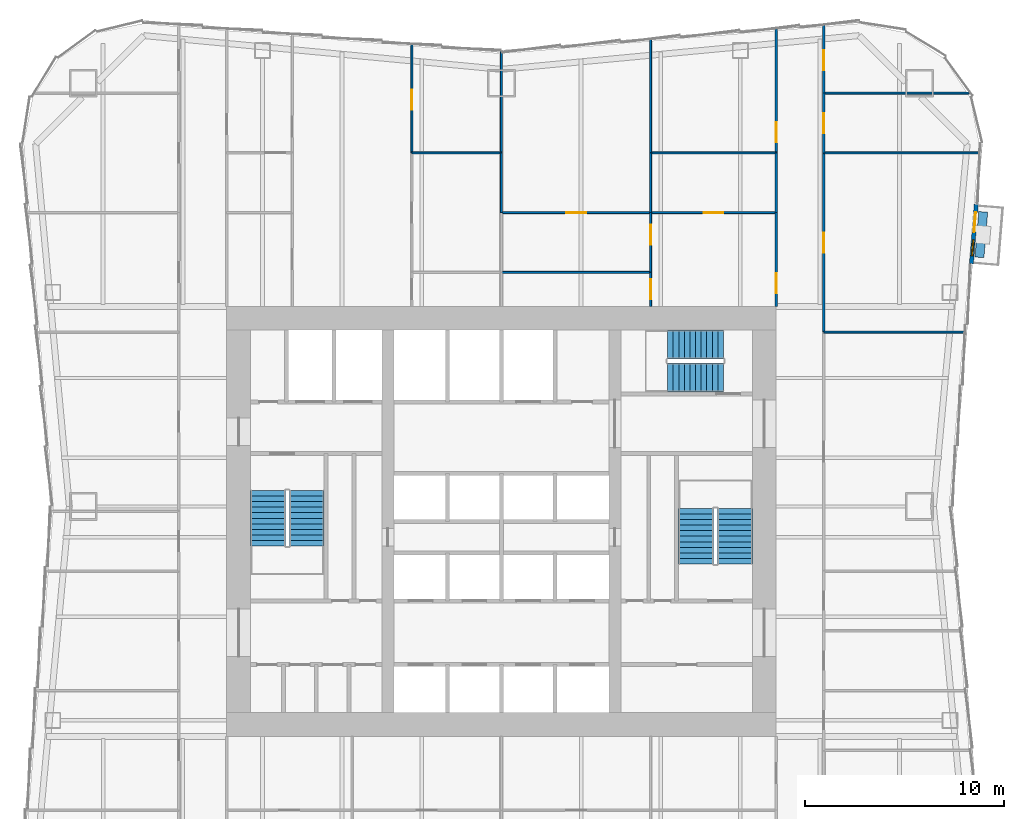
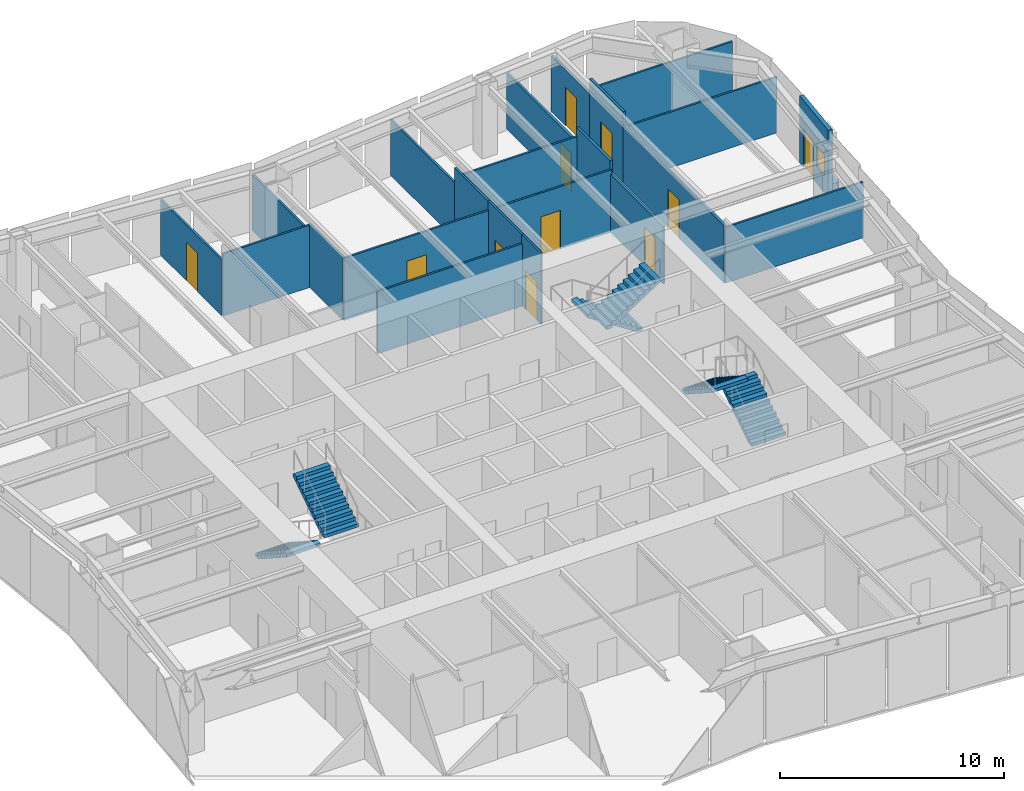
# One storey, part 7 of 9: 23 walls, 11 doors, 6 stair flights, 1 window, 12 openings, 3 elements without a shape of their own.
"""IFC4 building model written with IfcOpenShell, lengths in metres."""

from ifc_helpers import new_model, si_unit, direction, frame, frame_2d, origin, place, context, subcontext, project, spatial, polyline, rectangle, outline, extrude, material, layer, layer_set, type_object, element, fill, aggregate, save


model = new_model("IFC4")

# Units and contexts
model_context = context("Model", 3, precision=1e-05, world=origin(), true_north=direction((0.0, 1.0)))
body_context = subcontext(model_context, "Body", "Model", "MODEL_VIEW")
ifc_project = project(units=[si_unit("LENGTHUNIT", "METRE"), si_unit("AREAUNIT", "SQUARE_METRE"), si_unit("VOLUMEUNIT", "CUBIC_METRE"), si_unit("PLANEANGLEUNIT", "RADIAN"), si_unit("MASSUNIT", "GRAM", prefix="KILO")], contexts=[model_context])

# Site, building, storey
site_placement = place(None, origin())
site = spatial("IfcSite", under=ifc_project, at=site_placement, CompositionType="ELEMENT")
building_placement = place(site_placement, origin())
building = spatial("IfcBuilding", under=site, at=building_placement, Name="Verdant Reach Tower", CompositionType="ELEMENT")
storey_placement = place(building_placement, frame((0.0, 0.0, 74.0)))
storey = spatial("IfcBuildingStorey", under=building, at=storey_placement, Name="L16", CompositionType="ELEMENT", Elevation=74.0)

# Wall, openings, door, window
ifc_material_1 = material(Name="Insulated bronze aluminium panel wall", Category="aluminium")
ifc_layer_1 = layer(ifc_material_1, 0.219970703125)
ifc_layer_set_1 = layer_set([ifc_layer_1], Name="EN-INFILL WALL")
wall_type_1 = type_object("IfcWallType", Name="EN-INFILL WALL", PredefinedType="SOLIDWALL", material=ifc_layer_set_1)
wall_1_placement = place(storey_placement, frame((23.605224609375, 40.939208984375, 0.0), z_axis=(0.0, 0.0, 1.0), x_axis=(0.081903334605, 0.996640278024, 0.0)))
wall_1 = element("IfcWall", 1, at=wall_1_placement, inside=storey, type_object=wall_type_1, Name="External infill wall, balcony bay 1, L16", PredefinedType="SOLIDWALL", context=body_context, shape_type="SweptSolid", body=[
    extrude(rectangle(XDim=2.98974609375, YDim=0.2060546875, at=frame_2d((1.494873046875, 0.0))), origin(), (0.0, 0.0, 1.0), 3.64990234375),
])
opening_1_placement = place(wall_1_placement, frame((1.59326171875, 0.0, 0.0)))
opening_1 = element("IfcOpeningElement", 2, at=opening_1_placement, cuts=wall_1, Name="Opening BD1", PredefinedType="OPENING", context=body_context, shape_type="SweptSolid", body=[
    extrude(rectangle(XDim=1.0, YDim=2.10009765625, at=frame_2d((0.5, 1.050048828125))), frame((0.0, 0.113037109375, 0.0), z_axis=(0.0, -1.0, 0.0), x_axis=(1.0, 0.0, 0.0)), (0.0, 0.0, 1.0), 0.22607421875),
])
opening_2_placement = place(wall_1_placement, frame((0.396484375, 0.0, 0.89990234375)))
opening_2 = element("IfcOpeningElement", 3, at=opening_2_placement, cuts=wall_1, Name="Opening BW1", PredefinedType="OPENING", context=body_context, shape_type="SweptSolid", body=[
    extrude(rectangle(XDim=0.800048828125, YDim=1.199951171875, at=frame_2d((0.39990234375, 0.60009765625))), frame((0.0, 0.113037109375, 0.0), z_axis=(0.0, -1.0, 0.0), x_axis=(1.0, 0.0, 0.0)), (0.0, 0.0, 1.0), 0.22607421875),
])
ifc_material_2 = material(Name="Aluminium framed glazed door", Category="aluminium")
door_type_1 = type_object("IfcDoorType", Name="EN-DOOR BALCONY", OperationType="NOTDEFINED", PredefinedType="DOOR", material=ifc_material_2)
door_1_placement = place(opening_1_placement, origin())
door_1 = element("IfcDoor", 4, at=door_1_placement, inside=storey, type_object=door_type_1, Name="Balcony door 1, L16", OperationType="SINGLE_SWING_RIGHT", OverallHeight=2.10009765625, OverallWidth=1.0, PredefinedType="DOOR", context=body_context, shape_type="SweptSolid", body=[
    extrude(rectangle(XDim=1.0, YDim=2.10009765625, at=frame_2d((0.5, 1.050048828125))), frame((0.0, 0.02490234375, 0.0), z_axis=(0.0, -1.0, 0.0), x_axis=(1.0, 0.0, 0.0)), (0.0, 0.0, 1.0), 0.050048828125),
])
fill(opening_1, door_1)
ifc_material_3 = material(Name="Aluminium framed glazing", Category="aluminium")
window_type = type_object("IfcWindowType", Name="EN-WINDOW BALCONY", PartitioningType="SINGLE_PANEL", PredefinedType="WINDOW", material=ifc_material_3)
window_placement = place(opening_2_placement, origin())
window = element("IfcWindow", 5, at=window_placement, inside=storey, type_object=window_type, Name="Balcony window 1, L16", OverallHeight=1.199951171875, OverallWidth=0.800048828125, PartitioningType="SINGLE_PANEL", PredefinedType="WINDOW", context=body_context, shape_type="SweptSolid", body=[
    extrude(rectangle(XDim=0.800048828125, YDim=1.199951171875, at=frame_2d((0.39990234375, 0.60009765625))), frame((0.0, 0.030029296875, 0.0), z_axis=(0.0, -1.0, 0.0), x_axis=(1.0, 0.0, 0.0)), (0.0, 0.0, 1.0), 0.06005859375),
])
fill(opening_2, window)

# Walls
ifc_material_4 = material(Name="Precast concrete C30/37", Category="concrete")
ifc_layer_2 = layer(ifc_material_4, 0.449951171875)
ifc_layer_set_2 = layer_set([ifc_layer_2], Name="EN-PLANTER")
wall_type_2 = type_object("IfcWallType", Name="EN-PLANTER", PredefinedType="USERDEFINED", material=ifc_layer_set_2)
wall_2_placement = place(storey_placement, frame((24.010498046875, 41.257080078125, 0.0), z_axis=(0.0, 0.0, 1.0), x_axis=(0.081986639556, 0.996633428566, 0.0)))
element("IfcWall", 6, at=wall_2_placement, inside=storey, type_object=wall_type_2, Name="Balcony planter 1, L16", ObjectType="PLANTER", PredefinedType="USERDEFINED", context=body_context, shape_type="SweptSolid", body=[
    extrude(rectangle(XDim=2.2900390625, YDim=0.449951171875, at=frame_2d((1.14501953125, 0.0))), origin(), (0.0, 0.0, 1.0), 0.39990234375),
])
ifc_material_5 = material(Name="Gypsum board on steel studs", Category="steel")
ifc_layer_3 = layer(ifc_material_5, 0.10009765625)
ifc_layer_set_3 = layer_set([ifc_layer_3], Name="FL-W1 Partition 100")
wall_type_3 = type_object("IfcWallType", Name="FL-W1 Partition 100", PredefinedType="PARTITIONING", material=ifc_layer_set_3)
wall_3_placement = place(storey_placement, frame((23.29931640625, 37.5, 0.0), z_axis=(0.0, 0.0, 1.0), x_axis=(-1.0, 0.0, 0.0)))
element("IfcWall", 7, at=wall_3_placement, inside=storey, type_object=wall_type_3, Name="Partition 16.40", PredefinedType="PARTITIONING", context=body_context, shape_type="SweptSolid", body=[
    extrude(rectangle(XDim=7.099365234375, YDim=0.10009765625, at=frame_2d((3.5498046875, 0.0))), origin(), (0.0, 0.0, 1.0), 3.0400390625),
])
wall_4_placement = place(storey_placement, frame((24.038818359375, 46.5, 0.0), z_axis=(0.0, 0.0, 1.0), x_axis=(-1.0, 0.0, 0.0)))
element("IfcWall", 8, at=wall_4_placement, inside=storey, type_object=wall_type_3, Name="Partition 16.41", PredefinedType="PARTITIONING", context=body_context, shape_type="SweptSolid", body=[
    extrude(rectangle(XDim=7.8388671875, YDim=0.10009765625, at=frame_2d((3.91943359375, 0.0))), origin(), (0.0, 0.0, 1.0), 3.0400390625),
])
wall_5_placement = place(storey_placement, frame((23.487060546875, 49.5, 0.0), z_axis=(0.0, 0.0, 1.0), x_axis=(-1.0, 0.0, 0.0)))
element("IfcWall", 9, at=wall_5_placement, inside=storey, type_object=wall_type_3, Name="Partition 16.42", PredefinedType="PARTITIONING", context=body_context, shape_type="SweptSolid", body=[
    extrude(rectangle(XDim=7.287109375, YDim=0.10009765625, at=frame_2d((3.6435546875, 0.0))), origin(), (0.0, 0.0, 1.0), 3.340087890625),
])

# Wall, opening, door
wall_6_placement = place(storey_placement, frame((-4.5, 51.955078125, 0.0), z_axis=(0.0, 0.0, 1.0), x_axis=(0.0, -1.0, 0.0)))
wall_6 = element("IfcWall", 10, at=wall_6_placement, inside=storey, type_object=wall_type_3, Name="Partition 16.64", PredefinedType="PARTITIONING", context=body_context, shape_type="SweptSolid", body=[
    extrude(rectangle(XDim=5.455078125, YDim=0.10009765625, at=frame_2d((2.7275390625, 0.0))), origin(), (0.0, 0.0, 1.0), 3.0400390625),
])
opening_3_placement = place(wall_6_placement, frame((2.29248046875, 0.0, 0.0)))
opening_3 = element("IfcOpeningElement", 11, at=opening_3_placement, cuts=wall_6, Name="Opening D3", PredefinedType="OPENING", context=body_context, shape_type="SweptSolid", body=[
    extrude(rectangle(XDim=1.0, YDim=2.10009765625, at=frame_2d((0.5, 1.050048828125))), frame((0.0, 0.06005859375, 0.0), z_axis=(0.0, -1.0, 0.0), x_axis=(1.0, 0.0, 0.0)), (0.0, 0.0, 1.0), 0.1201171875),
])
ifc_material_6 = material(Name="Painted timber door leaf", Category="wood")
door_type_2 = type_object("IfcDoorType", Name="FL-D3 Door 1000x2100", OperationType="NOTDEFINED", PredefinedType="DOOR", material=ifc_material_6)
door_2_placement = place(opening_3_placement, origin())
door_2 = element("IfcDoor", 12, at=door_2_placement, inside=storey, type_object=door_type_2, Name="Door 16-035", OperationType="SINGLE_SWING_RIGHT", OverallHeight=2.10009765625, OverallWidth=1.0, PredefinedType="DOOR", context=body_context, shape_type="SweptSolid", body=[
    extrude(rectangle(XDim=1.0, YDim=2.10009765625, at=frame_2d((0.5, 1.050048828125))), frame((0.0, 0.02490234375, 0.0), z_axis=(0.0, -1.0, 0.0), x_axis=(1.0, 0.0, 0.0)), (0.0, 0.0, 1.0), 0.050048828125),
])
fill(opening_3, door_2)

# Walls
wall_7_placement = place(storey_placement, frame((0.0, 46.5, 0.0), z_axis=(0.0, 0.0, 1.0), x_axis=(-1.0, 0.0, 0.0)))
element("IfcWall", 13, at=wall_7_placement, inside=storey, type_object=wall_type_3, Name="Partition 16.67", PredefinedType="PARTITIONING", context=body_context, shape_type="SweptSolid", body=[
    extrude(rectangle(XDim=4.5, YDim=0.10009765625, at=frame_2d((2.25, 0.0))), origin(), (0.0, 0.0, 1.0), 3.389892578125),
])
wall_8_placement = place(storey_placement, frame((0.0, 43.5, 0.0), z_axis=(0.0, 0.0, 1.0), x_axis=(0.0, 1.0, 0.0)))
element("IfcWall", 14, at=wall_8_placement, inside=storey, type_object=wall_type_3, Name="Partition 16.69", PredefinedType="PARTITIONING", context=body_context, shape_type="SweptSolid", body=[
    extrude(rectangle(XDim=3.00390625, YDim=0.10009765625, at=frame_2d((1.501953125, 0.0))), origin(), (0.0, 0.0, 1.0), 3.43994140625),
])
wall_9_placement = place(storey_placement, frame((0.0, 46.49609375, 0.0), z_axis=(0.0, 0.0, 1.0), x_axis=(0.0, 1.0, 0.0)))
element("IfcWall", 15, at=wall_9_placement, inside=storey, type_object=wall_type_3, Name="Partition 16.70", PredefinedType="PARTITIONING", context=body_context, shape_type="SweptSolid", body=[
    extrude(rectangle(XDim=5.083984375, YDim=0.10009765625, at=frame_2d((2.5419921875, 0.0))), origin(), (0.0, 0.0, 1.0), 3.0400390625),
])

# Wall, opening, door
wall_10_placement = place(storey_placement, frame((7.5, 43.5, 0.0), z_axis=(0.0, 0.0, 1.0), x_axis=(1.0, 0.0, 0.0)))
wall_10 = element("IfcWall", 16, at=wall_10_placement, inside=storey, type_object=wall_type_3, Name="Partition 16.71", PredefinedType="PARTITIONING", context=body_context, shape_type="SweptSolid", body=[
    extrude(rectangle(XDim=6.300048828125, YDim=0.10009765625, at=frame_2d((3.14990234375, 0.0))), origin(), (0.0, 0.0, 1.0), 3.389892578125),
])
opening_4_placement = place(wall_10_placement, frame((2.64990234375, 0.0, 0.0)))
opening_4 = element("IfcOpeningElement", 17, at=opening_4_placement, cuts=wall_10, Name="Opening D3", PredefinedType="OPENING", context=body_context, shape_type="SweptSolid", body=[
    extrude(rectangle(XDim=1.0, YDim=2.10009765625, at=frame_2d((0.5, 1.050048828125))), frame((0.0, 0.06005859375, 0.0), z_axis=(0.0, -1.0, 0.0), x_axis=(1.0, 0.0, 0.0)), (0.0, 0.0, 1.0), 0.1201171875),
])
door_3_placement = place(opening_4_placement, origin())
door_3 = element("IfcDoor", 18, at=door_3_placement, inside=storey, type_object=door_type_2, Name="Door 16-036", OperationType="SINGLE_SWING_RIGHT", OverallHeight=2.10009765625, OverallWidth=1.0, PredefinedType="DOOR", context=body_context, shape_type="SweptSolid", body=[
    extrude(rectangle(XDim=1.0, YDim=2.10009765625, at=frame_2d((0.5, 1.050048828125))), frame((0.0, 0.02490234375, 0.0), z_axis=(0.0, -1.0, 0.0), x_axis=(1.0, 0.0, 0.0)), (0.0, 0.0, 1.0), 0.050048828125),
])
fill(opening_4, door_3)

wall_11_placement = place(storey_placement, frame((7.5, 38.800048828125, 0.0), z_axis=(0.0, 0.0, 1.0), x_axis=(0.0, 1.0, 0.0)))
wall_11 = element("IfcWall", 19, at=wall_11_placement, inside=storey, type_object=wall_type_3, Name="Partition 16.72", PredefinedType="PARTITIONING", context=body_context, shape_type="SweptSolid", body=[
    extrude(rectangle(XDim=1.699951171875, YDim=0.10009765625, at=frame_2d((0.85009765625, 0.0))), origin(), (0.0, 0.0, 1.0), 3.8701171875),
])
opening_5_placement = place(wall_11_placement, frame((0.35009765625, 0.0, 0.0)))
opening_5 = element("IfcOpeningElement", 20, at=opening_5_placement, cuts=wall_11, Name="Opening D3", PredefinedType="OPENING", context=body_context, shape_type="SweptSolid", body=[
    extrude(rectangle(XDim=1.0, YDim=2.10009765625, at=frame_2d((0.5, 1.050048828125))), frame((0.0, 0.06005859375, 0.0), z_axis=(0.0, -1.0, 0.0), x_axis=(1.0, 0.0, 0.0)), (0.0, 0.0, 1.0), 0.1201171875),
])
door_4_placement = place(opening_5_placement, origin())
door_4 = element("IfcDoor", 21, at=door_4_placement, inside=storey, type_object=door_type_2, Name="Door 16-037", OperationType="SINGLE_SWING_LEFT", OverallHeight=2.10009765625, OverallWidth=1.0, PredefinedType="DOOR", context=body_context, shape_type="SweptSolid", body=[
    extrude(rectangle(XDim=1.0, YDim=2.10009765625, at=frame_2d((0.5, 1.050048828125))), frame((0.0, 0.02490234375, 0.0), z_axis=(0.0, -1.0, 0.0), x_axis=(1.0, 0.0, 0.0)), (0.0, 0.0, 1.0), 0.050048828125),
])
fill(opening_5, door_4)

wall_12_placement = place(storey_placement, frame((7.5, 40.5, 0.0), z_axis=(0.0, 0.0, 1.0), x_axis=(0.0, 1.0, 0.0)))
wall_12 = element("IfcWall", 22, at=wall_12_placement, inside=storey, type_object=wall_type_3, Name="Partition 16.73", PredefinedType="PARTITIONING", context=body_context, shape_type="SweptSolid", body=[
    extrude(rectangle(XDim=3.0, YDim=0.10009765625, at=frame_2d((1.5, 0.0))), origin(), (0.0, 0.0, 1.0), 3.8701171875),
])
opening_6_placement = place(wall_12_placement, frame((1.39990234375, 0.0, 0.0)))
opening_6 = element("IfcOpeningElement", 23, at=opening_6_placement, cuts=wall_12, Name="Opening D3", PredefinedType="OPENING", context=body_context, shape_type="SweptSolid", body=[
    extrude(rectangle(XDim=1.0, YDim=2.10009765625, at=frame_2d((0.5, 1.050048828125))), frame((0.0, 0.06005859375, 0.0), z_axis=(0.0, -1.0, 0.0), x_axis=(1.0, 0.0, 0.0)), (0.0, 0.0, 1.0), 0.1201171875),
])
door_5_placement = place(opening_6_placement, origin())
door_5 = element("IfcDoor", 24, at=door_5_placement, inside=storey, type_object=door_type_2, Name="Door 16-038", OperationType="SINGLE_SWING_RIGHT", OverallHeight=2.10009765625, OverallWidth=1.0, PredefinedType="DOOR", context=body_context, shape_type="SweptSolid", body=[
    extrude(rectangle(XDim=1.0, YDim=2.10009765625, at=frame_2d((0.5, 1.050048828125))), frame((0.0, 0.02490234375, 0.0), z_axis=(0.0, -1.0, 0.0), x_axis=(1.0, 0.0, 0.0)), (0.0, 0.0, 1.0), 0.050048828125),
])
fill(opening_6, door_5)

# Walls
wall_13_placement = place(storey_placement, frame((13.800048828125, 46.5, 0.0), z_axis=(0.0, 0.0, 1.0), x_axis=(-1.0, 0.0, 0.0)))
element("IfcWall", 25, at=wall_13_placement, inside=storey, type_object=wall_type_3, Name="Partition 16.74", PredefinedType="PARTITIONING", context=body_context, shape_type="SweptSolid", body=[
    extrude(rectangle(XDim=6.300048828125, YDim=0.10009765625, at=frame_2d((3.14990234375, 0.0))), origin(), (0.0, 0.0, 1.0), 3.389892578125),
])
wall_14_placement = place(storey_placement, frame((7.5, 46.50390625, 0.0), z_axis=(0.0, 0.0, 1.0), x_axis=(0.0, -1.0, 0.0)))
element("IfcWall", 26, at=wall_14_placement, inside=storey, type_object=wall_type_3, Name="Partition 16.75", PredefinedType="PARTITIONING", context=body_context, shape_type="SweptSolid", body=[
    extrude(rectangle(XDim=3.00390625, YDim=0.10009765625, at=frame_2d((1.501953125, 0.0))), origin(), (0.0, 0.0, 1.0), 3.8701171875),
])
wall_15_placement = place(storey_placement, frame((7.5, 52.205078125, 0.0), z_axis=(0.0, 0.0, 1.0), x_axis=(0.0, -1.0, 0.0)))
element("IfcWall", 27, at=wall_15_placement, inside=storey, type_object=wall_type_3, Name="Partition 16.76", PredefinedType="PARTITIONING", context=body_context, shape_type="SweptSolid", body=[
    extrude(rectangle(XDim=5.708984375, YDim=0.10009765625, at=frame_2d((2.8544921875, 0.0))), origin(), (0.0, 0.0, 1.0), 3.0400390625),
])
wall_16_placement = place(storey_placement, frame((7.5, 40.5, 0.0), z_axis=(0.0, 0.0, 1.0), x_axis=(-1.0, 0.0, 0.0)))
element("IfcWall", 28, at=wall_16_placement, inside=storey, type_object=wall_type_3, Name="Partition 16.77", PredefinedType="PARTITIONING", context=body_context, shape_type="SweptSolid", body=[
    extrude(rectangle(XDim=7.5, YDim=0.10009765625, at=frame_2d((3.75, 0.0))), origin(), (0.0, 0.0, 1.0), 3.389892578125),
])

# Wall, opening, door
wall_17_placement = place(storey_placement, frame((0.0, 43.5, 0.0), z_axis=(0.0, 0.0, 1.0), x_axis=(1.0, 0.0, 0.0)))
wall_17 = element("IfcWall", 29, at=wall_17_placement, inside=storey, type_object=wall_type_3, Name="Partition 16.78", PredefinedType="PARTITIONING", context=body_context, shape_type="SweptSolid", body=[
    extrude(rectangle(XDim=7.5, YDim=0.10009765625, at=frame_2d((3.75, 0.0))), origin(), (0.0, 0.0, 1.0), 3.389892578125),
])
opening_7_placement = place(wall_17_placement, frame((3.25, 0.0, 0.0)))
opening_7 = element("IfcOpeningElement", 30, at=opening_7_placement, cuts=wall_17, Name="Opening D3", PredefinedType="OPENING", context=body_context, shape_type="SweptSolid", body=[
    extrude(rectangle(XDim=1.0, YDim=2.10009765625, at=frame_2d((0.5, 1.050048828125))), frame((0.0, 0.06005859375, 0.0), z_axis=(0.0, -1.0, 0.0), x_axis=(1.0, 0.0, 0.0)), (0.0, 0.0, 1.0), 0.1201171875),
])
door_6_placement = place(opening_7_placement, origin())
door_6 = element("IfcDoor", 31, at=door_6_placement, inside=storey, type_object=door_type_2, Name="Door 16-039", OperationType="SINGLE_SWING_LEFT", OverallHeight=2.10009765625, OverallWidth=1.0, PredefinedType="DOOR", context=body_context, shape_type="SweptSolid", body=[
    extrude(rectangle(XDim=1.0, YDim=2.10009765625, at=frame_2d((0.5, 1.050048828125))), frame((0.0, 0.02490234375, 0.0), z_axis=(0.0, -1.0, 0.0), x_axis=(1.0, 0.0, 0.0)), (0.0, 0.0, 1.0), 0.050048828125),
])
fill(opening_7, door_6)

ifc_material_7 = material(Name="Gypsum board on steel studs, fire rated", Category="steel")
ifc_layer_4 = layer(ifc_material_7, 0.125)
ifc_layer_set_4 = layer_set([ifc_layer_4], Name="FL-W2 Corridor wall 125")
wall_type_4 = type_object("IfcWallType", Name="FL-W2 Corridor wall 125", PredefinedType="PARTITIONING", material=ifc_layer_set_4)
wall_18_placement = place(storey_placement, frame((16.199951171875, 46.5, 0.0), z_axis=(0.0, 0.0, 1.0), x_axis=(0.0, -1.0, 0.0)))
wall_18 = element("IfcWall", 32, at=wall_18_placement, inside=storey, type_object=wall_type_4, Name="Partition 16.20", PredefinedType="PARTITIONING", context=body_context, shape_type="SweptSolid", body=[
    extrude(rectangle(XDim=9.0, YDim=0.125, at=frame_2d((4.5, 0.0))), origin(), (0.0, 0.0, 1.0), 3.139892578125),
])
opening_8_placement = place(wall_18_placement, frame((4.0, 0.0, 0.0)))
opening_8 = element("IfcOpeningElement", 33, at=opening_8_placement, cuts=wall_18, Name="Opening D2", PredefinedType="OPENING", context=body_context, shape_type="SweptSolid", body=[
    extrude(rectangle(XDim=1.0, YDim=2.10009765625, at=frame_2d((0.5, 1.050048828125))), frame((0.0, 0.072509765625, 0.0), z_axis=(0.0, -1.0, 0.0), x_axis=(1.0, 0.0, 0.0)), (0.0, 0.0, 1.0), 0.14501953125),
])
ifc_material_8 = material(Name="Timber door leaf, fire rated", Category="wood")
door_type_3 = type_object("IfcDoorType", Name="FL-D2 Entrance door 1000x2100 FD30", OperationType="NOTDEFINED", PredefinedType="DOOR", material=ifc_material_8)
door_7_placement = place(opening_8_placement, origin())
door_7 = element("IfcDoor", 34, at=door_7_placement, inside=storey, type_object=door_type_3, Name="Door 16-016", OperationType="SINGLE_SWING_RIGHT", OverallHeight=2.10009765625, OverallWidth=1.0, PredefinedType="DOOR", context=body_context, shape_type="SweptSolid", body=[
    extrude(rectangle(XDim=1.0, YDim=2.10009765625, at=frame_2d((0.5, 1.050048828125))), frame((0.0, 0.02490234375, 0.0), z_axis=(0.0, -1.0, 0.0), x_axis=(1.0, 0.0, 0.0)), (0.0, 0.0, 1.0), 0.050048828125),
])
fill(opening_8, door_7)

wall_19_placement = place(storey_placement, frame((16.199951171875, 49.5, 0.0), z_axis=(0.0, 0.0, 1.0), x_axis=(0.0, -1.0, 0.0)))
wall_19 = element("IfcWall", 35, at=wall_19_placement, inside=storey, type_object=wall_type_4, Name="Partition 16.21", PredefinedType="PARTITIONING", context=body_context, shape_type="SweptSolid", body=[
    extrude(rectangle(XDim=3.0, YDim=0.125, at=frame_2d((1.5, 0.0))), origin(), (0.0, 0.0, 1.0), 3.8701171875),
])
opening_9_placement = place(wall_19_placement, frame((1.0, 0.0, 0.0)))
opening_9 = element("IfcOpeningElement", 36, at=opening_9_placement, cuts=wall_19, Name="Opening D2", PredefinedType="OPENING", context=body_context, shape_type="SweptSolid", body=[
    extrude(rectangle(XDim=1.0, YDim=2.10009765625, at=frame_2d((0.5, 1.050048828125))), frame((0.0, 0.072509765625, 0.0), z_axis=(0.0, -1.0, 0.0), x_axis=(1.0, 0.0, 0.0)), (0.0, 0.0, 1.0), 0.14501953125),
])
door_8_placement = place(opening_9_placement, origin())
door_8 = element("IfcDoor", 37, at=door_8_placement, inside=storey, type_object=door_type_3, Name="Door 16-017", OperationType="SINGLE_SWING_LEFT", OverallHeight=2.10009765625, OverallWidth=1.0, PredefinedType="DOOR", context=body_context, shape_type="SweptSolid", body=[
    extrude(rectangle(XDim=1.0, YDim=2.10009765625, at=frame_2d((0.5, 1.050048828125))), frame((0.0, 0.02490234375, 0.0), z_axis=(0.0, -1.0, 0.0), x_axis=(1.0, 0.0, 0.0)), (0.0, 0.0, 1.0), 0.050048828125),
])
fill(opening_9, door_8)

wall_20_placement = place(storey_placement, frame((16.199951171875, 52.929931640625, 0.0), z_axis=(0.0, 0.0, 1.0), x_axis=(0.0, -1.0, 0.0)))
wall_20 = element("IfcWall", 38, at=wall_20_placement, inside=storey, type_object=wall_type_4, Name="Partition 16.22", PredefinedType="PARTITIONING", context=body_context, shape_type="SweptSolid", body=[
    extrude(rectangle(XDim=3.429931640625, YDim=0.125, at=frame_2d((1.71484375, 0.0))), origin(), (0.0, 0.0, 1.0), 3.0400390625),
])
opening_10_placement = place(wall_20_placement, frame((1.280029296875, 0.0, 0.0)))
opening_10 = element("IfcOpeningElement", 39, at=opening_10_placement, cuts=wall_20, Name="Opening D2", PredefinedType="OPENING", context=body_context, shape_type="SweptSolid", body=[
    extrude(rectangle(XDim=1.0, YDim=2.10009765625, at=frame_2d((0.5, 1.050048828125))), frame((0.0, 0.072509765625, 0.0), z_axis=(0.0, -1.0, 0.0), x_axis=(1.0, 0.0, 0.0)), (0.0, 0.0, 1.0), 0.14501953125),
])
door_9_placement = place(opening_10_placement, origin())
door_9 = element("IfcDoor", 40, at=door_9_placement, inside=storey, type_object=door_type_3, Name="Door 16-018", OperationType="SINGLE_SWING_RIGHT", OverallHeight=2.10009765625, OverallWidth=1.0, PredefinedType="DOOR", context=body_context, shape_type="SweptSolid", body=[
    extrude(rectangle(XDim=1.0, YDim=2.10009765625, at=frame_2d((0.5, 1.050048828125))), frame((0.0, 0.02490234375, 0.0), z_axis=(0.0, -1.0, 0.0), x_axis=(1.0, 0.0, 0.0)), (0.0, 0.0, 1.0), 0.050048828125),
])
fill(opening_10, door_9)

wall_21_placement = place(storey_placement, frame((13.800048828125, 38.800048828125, 0.0), z_axis=(0.0, 0.0, 1.0), x_axis=(0.0, 1.0, 0.0)))
wall_21 = element("IfcWall", 41, at=wall_21_placement, inside=storey, type_object=wall_type_4, Name="Partition 16.26", PredefinedType="PARTITIONING", context=body_context, shape_type="SweptSolid", body=[
    extrude(rectangle(XDim=4.699951171875, YDim=0.125, at=frame_2d((2.35009765625, 0.0))), origin(), (0.0, 0.0, 1.0), 3.139892578125),
])
opening_11_placement = place(wall_21_placement, frame((0.64990234375, 0.0, 0.0)))
opening_11 = element("IfcOpeningElement", 42, at=opening_11_placement, cuts=wall_21, Name="Opening D2", PredefinedType="OPENING", context=body_context, shape_type="SweptSolid", body=[
    extrude(rectangle(XDim=1.0, YDim=2.10009765625, at=frame_2d((0.5, 1.050048828125))), frame((0.0, 0.072509765625, 0.0), z_axis=(0.0, -1.0, 0.0), x_axis=(1.0, 0.0, 0.0)), (0.0, 0.0, 1.0), 0.14501953125),
])
door_10_placement = place(opening_11_placement, origin())
door_10 = element("IfcDoor", 43, at=door_10_placement, inside=storey, type_object=door_type_3, Name="Door 16-021", OperationType="SINGLE_SWING_LEFT", OverallHeight=2.10009765625, OverallWidth=1.0, PredefinedType="DOOR", context=body_context, shape_type="SweptSolid", body=[
    extrude(rectangle(XDim=1.0, YDim=2.10009765625, at=frame_2d((0.5, 1.050048828125))), frame((0.0, 0.02490234375, 0.0), z_axis=(0.0, -1.0, 0.0), x_axis=(1.0, 0.0, 0.0)), (0.0, 0.0, 1.0), 0.050048828125),
])
fill(opening_11, door_10)

# Wall
wall_22_placement = place(storey_placement, frame((13.800048828125, 46.5, 0.0), z_axis=(0.0, 0.0, 1.0), x_axis=(0.0, -1.0, 0.0)))
element("IfcWall", 44, at=wall_22_placement, inside=storey, type_object=wall_type_4, Name="Partition 16.27", PredefinedType="PARTITIONING", context=body_context, shape_type="SweptSolid", body=[
    extrude(rectangle(XDim=3.0, YDim=0.125, at=frame_2d((1.5, 0.0))), origin(), (0.0, 0.0, 1.0), 3.8701171875),
])

# Wall, opening, door
wall_23_placement = place(storey_placement, frame((13.800048828125, 46.5, 0.0), z_axis=(0.0, 0.0, 1.0), x_axis=(0.0, 1.0, 0.0)))
wall_23 = element("IfcWall", 45, at=wall_23_placement, inside=storey, type_object=wall_type_4, Name="Partition 16.28", PredefinedType="PARTITIONING", context=body_context, shape_type="SweptSolid", body=[
    extrude(rectangle(XDim=6.22998046875, YDim=0.125, at=frame_2d((3.114990234375, 0.0))), origin(), (0.0, 0.0, 1.0), 3.0400390625),
])
opening_12_placement = place(wall_23_placement, frame((0.5498046875, 0.0, 0.0)))
opening_12 = element("IfcOpeningElement", 46, at=opening_12_placement, cuts=wall_23, Name="Opening D2", PredefinedType="OPENING", context=body_context, shape_type="SweptSolid", body=[
    extrude(rectangle(XDim=1.0, YDim=2.10009765625, at=frame_2d((0.5, 1.050048828125))), frame((0.0, 0.072509765625, 0.0), z_axis=(0.0, -1.0, 0.0), x_axis=(1.0, 0.0, 0.0)), (0.0, 0.0, 1.0), 0.14501953125),
])
door_11_placement = place(opening_12_placement, origin())
door_11 = element("IfcDoor", 47, at=door_11_placement, inside=storey, type_object=door_type_3, Name="Door 16-022", OperationType="SINGLE_SWING_LEFT", OverallHeight=2.10009765625, OverallWidth=1.0, PredefinedType="DOOR", context=body_context, shape_type="SweptSolid", body=[
    extrude(rectangle(XDim=1.0, YDim=2.10009765625, at=frame_2d((0.5, 1.050048828125))), frame((0.0, 0.02490234375, 0.0), z_axis=(0.0, -1.0, 0.0), x_axis=(1.0, 0.0, 0.0)), (0.0, 0.0, 1.0), 0.050048828125),
])
fill(opening_12, door_11)

# Stair, stair flights
ifc_material_9 = material(Name="Concrete C40/50", Category="concrete")
stair_type = type_object("IfcStairType", Name="CO-STAIR", PredefinedType="HALF_TURN_STAIR", material=ifc_material_9)
stair_1_placement = place(storey_placement, origin())
stair_1 = element("IfcStair", 48, at=stair_1_placement, inside=storey, type_object=stair_type, Name="L16 Exit stair 1", PredefinedType="HALF_TURN_STAIR")
stair_flight_type = type_object("IfcStairFlightType", Name="CO-STAIR-FLIGHT", PredefinedType="STRAIGHT", material=ifc_material_9)
stair_flight_1_placement = place(storey_placement, frame((-11.72509765625, 29.550048828125, 0.0), z_axis=(0.0, 0.0, 1.0), x_axis=(0.0, -1.0, 0.0)))
stair_flight_1 = element("IfcStairFlight", 49, at=stair_flight_1_placement, type_object=stair_flight_type, Name="ST-1 flight 1", NumberOfRisers=11, NumberOfTreads=10, PredefinedType="STRAIGHT", RiserHeight=0.181818182, TreadLength=0.28, context=body_context, shape_type="SweptSolid", body=[
    extrude(outline(polyline([(0.0, 0.0), (0.0, 0.181884765625), (0.280029296875, 0.181884765625), (0.280029296875, 0.363525390625), (0.56005859375, 0.363525390625), (0.56005859375, 0.54541015625), (0.840087890625, 0.54541015625), (0.840087890625, 0.727294921875), (1.1201171875, 0.727294921875), (1.1201171875, 0.9091796875), (1.39990234375, 0.9091796875), (1.39990234375, 1.0908203125), (1.679931640625, 1.0908203125), (1.679931640625, 1.272705078125), (1.9599609375, 1.272705078125), (1.9599609375, 1.45458984375), (2.239990234375, 1.45458984375), (2.239990234375, 1.636474609375), (2.52001953125, 1.636474609375), (2.52001953125, 1.818115234375), (2.800048828125, 1.818115234375), (2.800048828125, 2.0), (2.800048828125, 1.639404296875), (0.275146484375, 0.0), (0.0, 0.0)])), frame((0.0, 0.875, 0.0), z_axis=(0.0, -1.0, 0.0), x_axis=(1.0, 0.0, 0.0)), (0.0, 0.0, 1.0), 1.75),
])
stair_flight_2_placement = place(storey_placement, frame((-9.77490234375, 26.75, 2.0), z_axis=(0.0, 0.0, 1.0), x_axis=(0.0, 1.0, 0.0)))
stair_flight_2 = element("IfcStairFlight", 50, at=stair_flight_2_placement, type_object=stair_flight_type, Name="ST-1 flight 2", NumberOfRisers=11, NumberOfTreads=10, PredefinedType="STRAIGHT", RiserHeight=0.181818182, TreadLength=0.28, context=body_context, shape_type="SweptSolid", body=[
    extrude(outline(polyline([(0.0, 0.0), (0.0, 0.181884765625), (0.280029296875, 0.181884765625), (0.280029296875, 0.363525390625), (0.56005859375, 0.363525390625), (0.56005859375, 0.54541015625), (0.840087890625, 0.54541015625), (0.840087890625, 0.727294921875), (1.1201171875, 0.727294921875), (1.1201171875, 0.9091796875), (1.39990234375, 0.9091796875), (1.39990234375, 1.0908203125), (1.679931640625, 1.0908203125), (1.679931640625, 1.272705078125), (1.9599609375, 1.272705078125), (1.9599609375, 1.45458984375), (2.239990234375, 1.45458984375), (2.239990234375, 1.636474609375), (2.52001953125, 1.636474609375), (2.52001953125, 1.818115234375), (2.800048828125, 1.818115234375), (2.800048828125, 2.0), (2.800048828125, 1.639404296875), (0.275146484375, 0.0), (0.0, 0.0)])), frame((0.0, 0.875, 0.0), z_axis=(0.0, -1.0, 0.0), x_axis=(1.0, 0.0, 0.0)), (0.0, 0.0, 1.0), 1.75),
])
aggregate(stair_1, [stair_flight_1, stair_flight_2])

stair_2_placement = place(storey_placement, origin())
stair_2 = element("IfcStair", 51, at=stair_2_placement, inside=storey, type_object=stair_type, Name="L16 Exit stair 2", PredefinedType="HALF_TURN_STAIR")
stair_flight_3_placement = place(storey_placement, frame((11.72509765625, 25.85009765625, 0.0), z_axis=(0.0, 0.0, 1.0), x_axis=(0.0, 1.0, 0.0)))
stair_flight_3 = element("IfcStairFlight", 52, at=stair_flight_3_placement, type_object=stair_flight_type, Name="ST-2 flight 1", NumberOfRisers=11, NumberOfTreads=10, PredefinedType="STRAIGHT", RiserHeight=0.181818182, TreadLength=0.28, context=body_context, shape_type="SweptSolid", body=[
    extrude(outline(polyline([(0.0, 0.0), (0.0, 0.181884765625), (0.280029296875, 0.181884765625), (0.280029296875, 0.363525390625), (0.56005859375, 0.363525390625), (0.56005859375, 0.54541015625), (0.840087890625, 0.54541015625), (0.840087890625, 0.727294921875), (1.1201171875, 0.727294921875), (1.1201171875, 0.9091796875), (1.39990234375, 0.9091796875), (1.39990234375, 1.0908203125), (1.679931640625, 1.0908203125), (1.679931640625, 1.272705078125), (1.9599609375, 1.272705078125), (1.9599609375, 1.45458984375), (2.239990234375, 1.45458984375), (2.239990234375, 1.636474609375), (2.52001953125, 1.636474609375), (2.52001953125, 1.818115234375), (2.800048828125, 1.818115234375), (2.800048828125, 2.0), (2.800048828125, 1.639404296875), (0.275146484375, 0.0), (0.0, 0.0)])), frame((0.0, 0.875, 0.0), z_axis=(0.0, -1.0, 0.0), x_axis=(1.0, 0.0, 0.0)), (0.0, 0.0, 1.0), 1.75),
])
stair_flight_4_placement = place(storey_placement, frame((9.77490234375, 28.64990234375, 2.0), z_axis=(0.0, 0.0, 1.0), x_axis=(0.0, -1.0, 0.0)))
stair_flight_4 = element("IfcStairFlight", 53, at=stair_flight_4_placement, type_object=stair_flight_type, Name="ST-2 flight 2", NumberOfRisers=11, NumberOfTreads=10, PredefinedType="STRAIGHT", RiserHeight=0.181818182, TreadLength=0.28, context=body_context, shape_type="SweptSolid", body=[
    extrude(outline(polyline([(0.0, 0.0), (0.0, 0.181884765625), (0.280029296875, 0.181884765625), (0.280029296875, 0.363525390625), (0.56005859375, 0.363525390625), (0.56005859375, 0.54541015625), (0.840087890625, 0.54541015625), (0.840087890625, 0.727294921875), (1.1201171875, 0.727294921875), (1.1201171875, 0.9091796875), (1.39990234375, 0.9091796875), (1.39990234375, 1.0908203125), (1.679931640625, 1.0908203125), (1.679931640625, 1.272705078125), (1.9599609375, 1.272705078125), (1.9599609375, 1.45458984375), (2.239990234375, 1.45458984375), (2.239990234375, 1.636474609375), (2.52001953125, 1.636474609375), (2.52001953125, 1.818115234375), (2.800048828125, 1.818115234375), (2.800048828125, 2.0), (2.800048828125, 1.639404296875), (0.275146484375, 0.0), (0.0, 0.0)])), frame((0.0, 0.875, 0.0), z_axis=(0.0, -1.0, 0.0), x_axis=(1.0, 0.0, 0.0)), (0.0, 0.0, 1.0), 1.75),
])
aggregate(stair_2, [stair_flight_3, stair_flight_4])

stair_3_placement = place(storey_placement, origin())
stair_3 = element("IfcStair", 54, at=stair_3_placement, inside=storey, type_object=stair_type, Name="L16 Exit stair 3", PredefinedType="HALF_TURN_STAIR")
stair_flight_5_placement = place(storey_placement, frame((11.14990234375, 36.875, 0.0), z_axis=(0.0, 0.0, 1.0), x_axis=(-1.0, 0.0, 0.0)))
stair_flight_5 = element("IfcStairFlight", 55, at=stair_flight_5_placement, type_object=stair_flight_type, Name="ST-3 flight 1", NumberOfRisers=11, NumberOfTreads=10, PredefinedType="STRAIGHT", RiserHeight=0.181818182, TreadLength=0.28, context=body_context, shape_type="SweptSolid", body=[
    extrude(outline(polyline([(0.0, 0.0), (0.0, 0.181884765625), (0.280029296875, 0.181884765625), (0.280029296875, 0.363525390625), (0.56005859375, 0.363525390625), (0.56005859375, 0.54541015625), (0.840087890625, 0.54541015625), (0.840087890625, 0.727294921875), (1.1201171875, 0.727294921875), (1.1201171875, 0.9091796875), (1.39990234375, 0.9091796875), (1.39990234375, 1.0908203125), (1.679931640625, 1.0908203125), (1.679931640625, 1.272705078125), (1.9599609375, 1.272705078125), (1.9599609375, 1.45458984375), (2.239990234375, 1.45458984375), (2.239990234375, 1.636474609375), (2.52001953125, 1.636474609375), (2.52001953125, 1.818115234375), (2.800048828125, 1.818115234375), (2.800048828125, 2.0), (2.800048828125, 1.639404296875), (0.275146484375, 0.0), (0.0, 0.0)])), frame((0.0, 0.72509765625, 0.0), z_axis=(0.0, -1.0, 0.0), x_axis=(1.0, 0.0, 0.0)), (0.0, 0.0, 1.0), 1.449951171875),
])
stair_flight_6_placement = place(storey_placement, frame((8.35009765625, 35.22509765625, 2.0), z_axis=(0.0, 0.0, 1.0), x_axis=(1.0, 0.0, 0.0)))
stair_flight_6 = element("IfcStairFlight", 56, at=stair_flight_6_placement, type_object=stair_flight_type, Name="ST-3 flight 2", NumberOfRisers=11, NumberOfTreads=10, PredefinedType="STRAIGHT", RiserHeight=0.181818182, TreadLength=0.28, context=body_context, shape_type="SweptSolid", body=[
    extrude(outline(polyline([(0.0, 0.0), (0.0, 0.181884765625), (0.280029296875, 0.181884765625), (0.280029296875, 0.363525390625), (0.56005859375, 0.363525390625), (0.56005859375, 0.54541015625), (0.840087890625, 0.54541015625), (0.840087890625, 0.727294921875), (1.1201171875, 0.727294921875), (1.1201171875, 0.9091796875), (1.39990234375, 0.9091796875), (1.39990234375, 1.0908203125), (1.679931640625, 1.0908203125), (1.679931640625, 1.272705078125), (1.9599609375, 1.272705078125), (1.9599609375, 1.45458984375), (2.239990234375, 1.45458984375), (2.239990234375, 1.636474609375), (2.52001953125, 1.636474609375), (2.52001953125, 1.818115234375), (2.800048828125, 1.818115234375), (2.800048828125, 2.0), (2.800048828125, 1.639404296875), (0.275146484375, 0.0), (0.0, 0.0)])), frame((0.0, 0.72509765625, 0.0), z_axis=(0.0, -1.0, 0.0), x_axis=(1.0, 0.0, 0.0)), (0.0, 0.0, 1.0), 1.449951171875),
])
aggregate(stair_3, [stair_flight_5, stair_flight_6])

save(model, "model.ifc")
